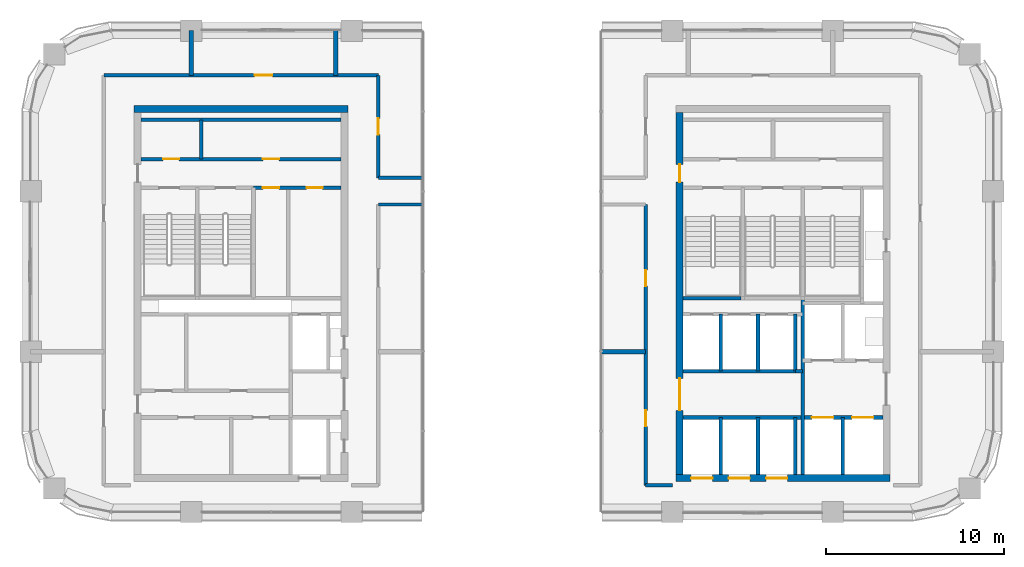
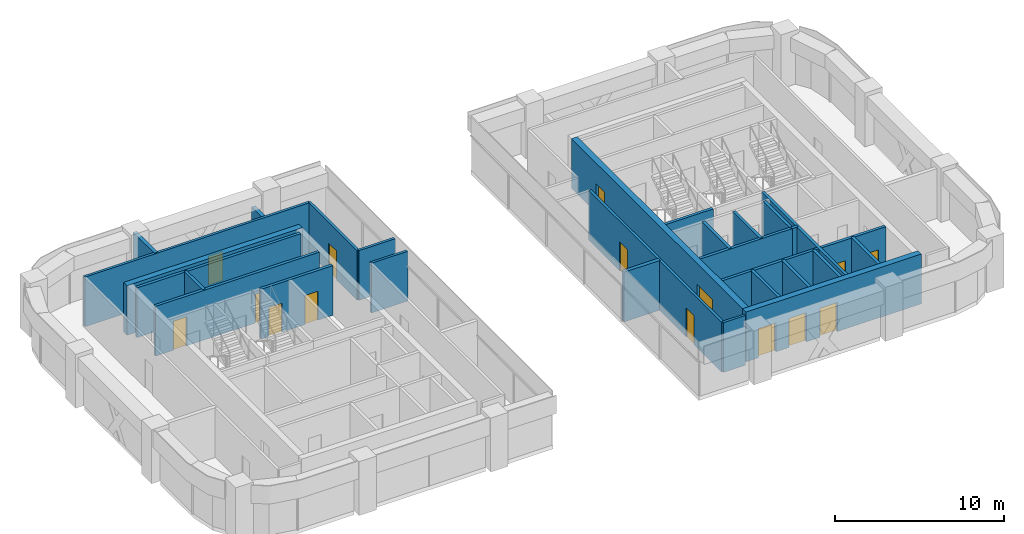
# One storey, part 7 of 16: 28 walls, 15 doors, 15 openings.
"""IFC4 building model written with IfcOpenShell, lengths in metres."""

from ifc_helpers import new_model, si_unit, direction, frame, frame_2d, origin, place, context, subcontext, project, spatial, rectangle, extrude, material, layer, layer_set, type_object, element, fill, save


model = new_model("IFC4")

# Units and contexts
model_context = context("Model", 3, precision=1e-05, world=origin(), true_north=direction((0.0, 1.0)))
body_context = subcontext(model_context, "Body", "Model", "MODEL_VIEW")
ifc_project = project(units=[si_unit("LENGTHUNIT", "METRE"), si_unit("AREAUNIT", "SQUARE_METRE"), si_unit("VOLUMEUNIT", "CUBIC_METRE"), si_unit("PLANEANGLEUNIT", "RADIAN"), si_unit("MASSUNIT", "GRAM", prefix="KILO")], contexts=[model_context])

# Site, building, storey
site_placement = place(None, origin())
site = spatial("IfcSite", under=ifc_project, at=site_placement, CompositionType="ELEMENT")
building_placement = place(site_placement, origin())
building = spatial("IfcBuilding", under=site, at=building_placement, Name="Tessera Arch", CompositionType="ELEMENT")
storey_placement = place(building_placement, frame((0.0, 0.0, 218.89990234375)))
storey = spatial("IfcBuildingStorey", under=building, at=storey_placement, Name="L52", CompositionType="ELEMENT", Elevation=218.89990234375)

# Walls
ifc_material_1 = material(Name="Gypsum board on steel stud", Category="steel")
ifc_layer_1 = layer(ifc_material_1, 0.125)
ifc_layer_set_1 = layer_set([ifc_layer_1], Name="Core partition 125 EI 60")
wall_type_1 = type_object("IfcWallType", Name="Core partition 125 EI 60", PredefinedType="PARTITIONING", material=ifc_layer_set_1)
wall_1_placement = place(storey_placement, frame((42.89990234375, 34.89990234375, 0.0), z_axis=(0.0, 0.0, 1.0), x_axis=(1.0, 0.0, 0.0)))
element("IfcWall", 1, at=wall_1_placement, inside=storey, type_object=wall_type_1, Name="L52 C1 partition wall 19", PredefinedType="PARTITIONING", context=body_context, shape_type="SweptSolid", body=[
    extrude(rectangle(XDim=0.400146484375, YDim=0.199951171875, at=frame_2d((0.2001953125, 0.0))), origin(), (0.0, 0.0, 1.0), 3.60009765625),
])
wall_2_placement = place(storey_placement, frame((9.56005859375, 46.800048828125, 0.0), z_axis=(0.0, 0.0, 1.0), x_axis=(0.0, 1.0, 0.0)))
element("IfcWall", 2, at=wall_2_placement, inside=storey, type_object=wall_type_1, Name="L52 C2 partition wall 4", PredefinedType="PARTITIONING", context=body_context, shape_type="SweptSolid", body=[
    extrude(rectangle(XDim=2.199951171875, YDim=0.199951171875, at=frame_2d((1.10009765625, 0.0))), origin(), (0.0, 0.0, 1.0), 3.60009765625),
])

# Wall, openings, doors
wall_3_placement = place(storey_placement, frame((12.5, 45.199951171875, 0.0), z_axis=(0.0, 0.0, 1.0), x_axis=(1.0, 0.0, 0.0)))
wall_3 = element("IfcWall", 3, at=wall_3_placement, inside=storey, type_object=wall_type_1, Name="L52 C2 partition wall 23", PredefinedType="PARTITIONING", context=body_context, shape_type="SweptSolid", body=[
    extrude(rectangle(XDim=4.89990234375, YDim=0.199951171875, at=frame_2d((2.449951171875, 0.0))), origin(), (0.0, 0.0, 1.0), 3.60009765625),
])
opening_1_placement = place(wall_3_placement, frame((0.530029296875, 0.0, 0.0)))
opening_1 = element("IfcOpeningElement", 4, at=opening_1_placement, cuts=wall_3, Name="Opening L52-C31", PredefinedType="OPENING", context=body_context, shape_type="SweptSolid", body=[
    extrude(rectangle(XDim=0.89990234375, YDim=2.10009765625, at=frame_2d((0.449951171875, 1.050048828125))), frame((0.0, 0.10986328125, 0.0), z_axis=(0.0, -1.0, 0.0), x_axis=(1.0, 0.0, 0.0)), (0.0, 0.0, 1.0), 0.219970703125),
])
opening_2_placement = place(wall_3_placement, frame((2.97998046875, 0.0, 0.0)))
opening_2 = element("IfcOpeningElement", 5, at=opening_2_placement, cuts=wall_3, Name="Opening L52-C32", PredefinedType="OPENING", context=body_context, shape_type="SweptSolid", body=[
    extrude(rectangle(XDim=0.89990234375, YDim=2.10009765625, at=frame_2d((0.449951171875, 1.050048828125))), frame((0.0, 0.10986328125, 0.0), z_axis=(0.0, -1.0, 0.0), x_axis=(1.0, 0.0, 0.0)), (0.0, 0.0, 1.0), 0.219970703125),
])
ifc_material_2 = material(Name="Steel door leaf", Category="steel")
door_type_1 = type_object("IfcDoorType", Name="Store door FD30S 900 x 2100", OperationType="SINGLE_SWING_LEFT", PredefinedType="DOOR", material=ifc_material_2)
door_1_placement = place(opening_1_placement, origin())
door_1 = element("IfcDoor", 6, at=door_1_placement, inside=storey, type_object=door_type_1, Name="L52 C2 door 12 C31 type D09", OperationType="SINGLE_SWING_LEFT", OverallHeight=2.10009765625, OverallWidth=0.89990234375, PredefinedType="DOOR", context=body_context, shape_type="SweptSolid", body=[
    extrude(rectangle(XDim=0.89990234375, YDim=2.10009765625, at=frame_2d((0.449951171875, 1.050048828125))), frame((0.0, 0.02490234375, 0.0), z_axis=(0.0, -1.0, 0.0), x_axis=(1.0, 0.0, 0.0)), (0.0, 0.0, 1.0), 0.050048828125),
])
fill(opening_1, door_1)
door_2_placement = place(opening_2_placement, origin())
door_2 = element("IfcDoor", 7, at=door_2_placement, inside=storey, type_object=door_type_1, Name="L52 C2 door 13 C32 type D09", OperationType="SINGLE_SWING_RIGHT", OverallHeight=2.10009765625, OverallWidth=0.89990234375, PredefinedType="DOOR", context=body_context, shape_type="SweptSolid", body=[
    extrude(rectangle(XDim=0.89990234375, YDim=2.10009765625, at=frame_2d((0.449951171875, 1.050048828125))), frame((0.0, 0.02490234375, 0.0), z_axis=(0.0, -1.0, 0.0), x_axis=(1.0, 0.0, 0.0)), (0.0, 0.0, 1.0), 0.050048828125),
])
fill(opening_2, door_2)

wall_4_placement = place(storey_placement, frame((6.199951171875, 46.800048828125, 0.0), z_axis=(0.0, 0.0, 1.0), x_axis=(1.0, 0.0, 0.0)))
wall_4 = element("IfcWall", 8, at=wall_4_placement, inside=storey, type_object=wall_type_1, Name="L52 C2 partition wall 25", PredefinedType="PARTITIONING", context=body_context, shape_type="SweptSolid", body=[
    extrude(rectangle(XDim=11.199951171875, YDim=0.199951171875, at=frame_2d((5.60009765625, 0.0))), origin(), (0.0, 0.0, 1.0), 3.60009765625),
])
opening_3_placement = place(wall_4_placement, frame((1.22998046875, 0.0, 0.0)))
opening_3 = element("IfcOpeningElement", 9, at=opening_3_placement, cuts=wall_4, Name="Opening L52-C29", PredefinedType="OPENING", context=body_context, shape_type="SweptSolid", body=[
    extrude(rectangle(XDim=0.89990234375, YDim=2.10009765625, at=frame_2d((0.449951171875, 1.050048828125))), frame((0.0, 0.10986328125, 0.0), z_axis=(0.0, -1.0, 0.0), x_axis=(1.0, 0.0, 0.0)), (0.0, 0.0, 1.0), 0.219970703125),
])
opening_4_placement = place(wall_4_placement, frame((6.830078125, 0.0, 0.0)))
opening_4 = element("IfcOpeningElement", 10, at=opening_4_placement, cuts=wall_4, Name="Opening L52-C30", PredefinedType="OPENING", context=body_context, shape_type="SweptSolid", body=[
    extrude(rectangle(XDim=0.89990234375, YDim=2.10009765625, at=frame_2d((0.449951171875, 1.050048828125))), frame((0.0, 0.10986328125, 0.0), z_axis=(0.0, -1.0, 0.0), x_axis=(1.0, 0.0, 0.0)), (0.0, 0.0, 1.0), 0.219970703125),
])
door_3_placement = place(opening_3_placement, origin())
door_3 = element("IfcDoor", 11, at=door_3_placement, inside=storey, type_object=door_type_1, Name="L52 C2 door 10 C29 type D09", OperationType="SINGLE_SWING_LEFT", OverallHeight=2.10009765625, OverallWidth=0.89990234375, PredefinedType="DOOR", context=body_context, shape_type="SweptSolid", body=[
    extrude(rectangle(XDim=0.89990234375, YDim=2.10009765625, at=frame_2d((0.449951171875, 1.050048828125))), frame((0.0, 0.02490234375, 0.0), z_axis=(0.0, -1.0, 0.0), x_axis=(1.0, 0.0, 0.0)), (0.0, 0.0, 1.0), 0.050048828125),
])
fill(opening_3, door_3)
door_4_placement = place(opening_4_placement, origin())
door_4 = element("IfcDoor", 12, at=door_4_placement, inside=storey, type_object=door_type_1, Name="L52 C2 door 11 C30 type D09", OperationType="SINGLE_SWING_RIGHT", OverallHeight=2.10009765625, OverallWidth=0.89990234375, PredefinedType="DOOR", context=body_context, shape_type="SweptSolid", body=[
    extrude(rectangle(XDim=0.89990234375, YDim=2.10009765625, at=frame_2d((0.449951171875, 1.050048828125))), frame((0.0, 0.02490234375, 0.0), z_axis=(0.0, -1.0, 0.0), x_axis=(1.0, 0.0, 0.0)), (0.0, 0.0, 1.0), 0.050048828125),
])
fill(opening_4, door_4)

# Wall
wall_5_placement = place(storey_placement, frame((6.199951171875, 49.0, 0.0), z_axis=(0.0, 0.0, 1.0), x_axis=(1.0, 0.0, 0.0)))
element("IfcWall", 13, at=wall_5_placement, inside=storey, type_object=wall_type_1, Name="L52 C2 partition wall 26", PredefinedType="PARTITIONING", context=body_context, shape_type="SweptSolid", body=[
    extrude(rectangle(XDim=11.199951171875, YDim=0.199951171875, at=frame_2d((5.60009765625, 0.0))), origin(), (0.0, 0.0, 1.0), 3.60009765625),
])

# Wall, openings, doors
ifc_material_3 = material(Name="Concrete C50/60", Category="concrete")
ifc_layer_2 = layer(ifc_material_3, 0.39990234375)
ifc_layer_set_2 = layer_set([ifc_layer_2], Name="Core shell wall 400 C50-60")
wall_type_2 = type_object("IfcWallType", Name="Core shell wall 400 C50-60", PredefinedType="SHEAR", material=ifc_layer_set_2)
wall_6_placement = place(storey_placement, frame((36.199951171875, 28.89990234375, 0.0), z_axis=(0.0, 0.0, 1.0), x_axis=(1.0, 0.0, 0.0)))
wall_6 = element("IfcWall", 14, at=wall_6_placement, inside=storey, type_object=wall_type_2, Name="L52 C1 core wall S", PredefinedType="SHEAR", context=body_context, shape_type="SweptSolid", body=[
    extrude(rectangle(XDim=12.0, YDim=0.39990234375, at=frame_2d((6.0, 0.0))), origin(), (0.0, 0.0, 1.0), 3.60009765625),
])
opening_5_placement = place(wall_6_placement, frame((0.85009765625, 0.0, 0.0)))
opening_5 = element("IfcOpeningElement", 15, at=opening_5_placement, cuts=wall_6, Name="Opening L52-C01", PredefinedType="OPENING", context=body_context, shape_type="SweptSolid", body=[
    extrude(rectangle(XDim=1.199951171875, YDim=2.10009765625, at=frame_2d((0.60009765625, 1.050048828125))), frame((0.0, 0.2099609375, 0.0), z_axis=(0.0, -1.0, 0.0), x_axis=(1.0, 0.0, 0.0)), (0.0, 0.0, 1.0), 0.419921875),
])
opening_6_placement = place(wall_6_placement, frame((2.949951171875, 0.0, 0.0)))
opening_6 = element("IfcOpeningElement", 16, at=opening_6_placement, cuts=wall_6, Name="Opening L52-C03", PredefinedType="OPENING", context=body_context, shape_type="SweptSolid", body=[
    extrude(rectangle(XDim=1.199951171875, YDim=2.10009765625, at=frame_2d((0.60009765625, 1.050048828125))), frame((0.0, 0.2099609375, 0.0), z_axis=(0.0, -1.0, 0.0), x_axis=(1.0, 0.0, 0.0)), (0.0, 0.0, 1.0), 0.419921875),
])
opening_7_placement = place(wall_6_placement, frame((5.050048828125, 0.0, 0.0)))
opening_7 = element("IfcOpeningElement", 17, at=opening_7_placement, cuts=wall_6, Name="Opening L52-C05", PredefinedType="OPENING", context=body_context, shape_type="SweptSolid", body=[
    extrude(rectangle(XDim=1.199951171875, YDim=2.10009765625, at=frame_2d((0.60009765625, 1.050048828125))), frame((0.0, 0.2099609375, 0.0), z_axis=(0.0, -1.0, 0.0), x_axis=(1.0, 0.0, 0.0)), (0.0, 0.0, 1.0), 0.419921875),
])
ifc_material_4 = material(Name="Stainless steel AISI 304", Category="steel")
door_type_2 = type_object("IfcDoorType", Name="Sliding landing door 1200 x 2100", OperationType="SLIDING_TO_LEFT", PredefinedType="DOOR", material=ifc_material_4)
door_5_placement = place(opening_5_placement, origin())
door_5 = element("IfcDoor", 18, at=door_5_placement, inside=storey, type_object=door_type_2, Name="L52 HR1 lift landing door C01 type LD", OperationType="SLIDING_TO_LEFT", OverallHeight=2.10009765625, OverallWidth=1.199951171875, PredefinedType="DOOR", context=body_context, shape_type="SweptSolid", body=[
    extrude(rectangle(XDim=1.199951171875, YDim=2.10009765625, at=frame_2d((0.60009765625, 1.050048828125))), frame((0.0, 0.02490234375, 0.0), z_axis=(0.0, -1.0, 0.0), x_axis=(1.0, 0.0, 0.0)), (0.0, 0.0, 1.0), 0.050048828125),
])
fill(opening_5, door_5)
door_6_placement = place(opening_6_placement, origin())
door_6 = element("IfcDoor", 19, at=door_6_placement, inside=storey, type_object=door_type_2, Name="L52 HR2 lift landing door C03 type LD", OperationType="SLIDING_TO_LEFT", OverallHeight=2.10009765625, OverallWidth=1.199951171875, PredefinedType="DOOR", context=body_context, shape_type="SweptSolid", body=[
    extrude(rectangle(XDim=1.199951171875, YDim=2.10009765625, at=frame_2d((0.60009765625, 1.050048828125))), frame((0.0, 0.02490234375, 0.0), z_axis=(0.0, -1.0, 0.0), x_axis=(1.0, 0.0, 0.0)), (0.0, 0.0, 1.0), 0.050048828125),
])
fill(opening_6, door_6)
door_7_placement = place(opening_7_placement, origin())
door_7 = element("IfcDoor", 20, at=door_7_placement, inside=storey, type_object=door_type_2, Name="L52 HR3 lift landing door C05 type LD", OperationType="SLIDING_TO_LEFT", OverallHeight=2.10009765625, OverallWidth=1.199951171875, PredefinedType="DOOR", context=body_context, shape_type="SweptSolid", body=[
    extrude(rectangle(XDim=1.199951171875, YDim=2.10009765625, at=frame_2d((0.60009765625, 1.050048828125))), frame((0.0, 0.02490234375, 0.0), z_axis=(0.0, -1.0, 0.0), x_axis=(1.0, 0.0, 0.0)), (0.0, 0.0, 1.0), 0.050048828125),
])
fill(opening_7, door_7)

wall_7_placement = place(storey_placement, frame((36.39990234375, 29.10009765625, 0.0), z_axis=(0.0, 0.0, 1.0), x_axis=(0.0, 1.0, 0.0)))
wall_7 = element("IfcWall", 21, at=wall_7_placement, inside=storey, type_object=wall_type_2, Name="L52 C1 core wall W", PredefinedType="SHEAR", context=body_context, shape_type="SweptSolid", body=[
    extrude(rectangle(XDim=20.2998046875, YDim=0.39990234375, at=frame_2d((10.14990234375, 0.0))), origin(), (0.0, 0.0, 1.0), 3.60009765625),
])
opening_8_placement = place(wall_7_placement, frame((3.60009765625, 0.0, 0.0)))
opening_8 = element("IfcOpeningElement", 22, at=opening_8_placement, cuts=wall_7, Name="Opening L52-C10", PredefinedType="OPENING", context=body_context, shape_type="SweptSolid", body=[
    extrude(rectangle(XDim=1.800048828125, YDim=2.10009765625, at=frame_2d((0.89990234375, 1.050048828125))), frame((0.0, 0.2099609375, 0.0), z_axis=(0.0, -1.0, 0.0), x_axis=(1.0, 0.0, 0.0)), (0.0, 0.0, 1.0), 0.419921875),
])
opening_9_placement = place(wall_7_placement, frame((16.39990234375, 0.0, 0.0)))
opening_9 = element("IfcOpeningElement", 23, at=opening_9_placement, cuts=wall_7, Name="Opening L52-C17", PredefinedType="OPENING", context=body_context, shape_type="SweptSolid", body=[
    extrude(rectangle(XDim=1.0, YDim=2.10009765625, at=frame_2d((0.5, 1.050048828125))), frame((0.0, 0.2099609375, 0.0), z_axis=(0.0, -1.0, 0.0), x_axis=(1.0, 0.0, 0.0)), (0.0, 0.0, 1.0), 0.419921875),
])
ifc_material_5 = material(Name="Steel door leaf", Category="steel")
door_type_3 = type_object("IfcDoorType", Name="Corridor door FD60 1000 x 2100", OperationType="SINGLE_SWING_LEFT", PredefinedType="DOOR", material=ifc_material_5)
door_8_placement = place(opening_9_placement, origin())
door_8 = element("IfcDoor", 24, at=door_8_placement, inside=storey, type_object=door_type_3, Name="L52 C1 door 17 C17 type D12", OperationType="SINGLE_SWING_RIGHT", OverallHeight=2.10009765625, OverallWidth=1.0, PredefinedType="DOOR", context=body_context, shape_type="SweptSolid", body=[
    extrude(rectangle(XDim=1.0, YDim=2.10009765625, at=frame_2d((0.5, 1.050048828125))), frame((0.0, 0.02490234375, 0.0), z_axis=(0.0, -1.0, 0.0), x_axis=(1.0, 0.0, 0.0)), (0.0, 0.0, 1.0), 0.050048828125),
])
fill(opening_9, door_8)
ifc_material_6 = material(Name="Glazed steel door leaf", Category="steel")
door_type_4 = type_object("IfcDoorType", Name="Lobby double door FD30S 1800 x 2100", OperationType="DOUBLE_DOOR_SINGLE_SWING", PredefinedType="DOOR", material=ifc_material_6)
door_9_placement = place(opening_8_placement, origin())
door_9 = element("IfcDoor", 25, at=door_9_placement, inside=storey, type_object=door_type_4, Name="L52 C1 door 10 C10 type D06", OperationType="DOUBLE_DOOR_SINGLE_SWING", OverallHeight=2.10009765625, OverallWidth=1.800048828125, PredefinedType="DOOR", context=body_context, shape_type="SweptSolid", body=[
    extrude(rectangle(XDim=1.800048828125, YDim=2.10009765625, at=frame_2d((0.89990234375, 1.050048828125))), frame((0.0, 0.02490234375, 0.0), z_axis=(0.0, -1.0, 0.0), x_axis=(1.0, 0.0, 0.0)), (0.0, 0.0, 1.0), 0.050048828125),
])
fill(opening_8, door_9)

# Walls
wall_8_placement = place(storey_placement, frame((5.800048828125, 49.60009765625, 0.0), z_axis=(0.0, 0.0, 1.0), x_axis=(1.0, 0.0, 0.0)))
element("IfcWall", 26, at=wall_8_placement, inside=storey, type_object=wall_type_2, Name="L52 C2 core wall N", PredefinedType="SHEAR", context=body_context, shape_type="SweptSolid", body=[
    extrude(rectangle(XDim=12.0, YDim=0.39990234375, at=frame_2d((6.0, 0.0))), origin(), (0.0, 0.0, 1.0), 3.60009765625),
])
ifc_material_7 = material(Name="Gypsum board on deep steel stud with mineral wool", Category="steel")
ifc_layer_3 = layer(ifc_material_7, 0.175048828125)
ifc_layer_set_3 = layer_set([ifc_layer_3], Name="Corridor wall 175 EI 60")
wall_type_3 = type_object("IfcWallType", Name="Corridor wall 175 EI 60", PredefinedType="PARTITIONING", material=ifc_layer_set_3)
wall_9_placement = place(storey_placement, frame((34.5, 28.5, 0.0), z_axis=(0.0, 0.0, 1.0), x_axis=(1.0, 0.0, 0.0)))
element("IfcWall", 27, at=wall_9_placement, inside=storey, type_object=wall_type_3, Name="L52 partition 3", PredefinedType="PARTITIONING", context=body_context, shape_type="SweptSolid", body=[
    extrude(rectangle(XDim=1.5, YDim=0.175048828125, at=frame_2d((0.75, 0.0))), origin(), (0.0, 0.0, 1.0), 3.60009765625),
])
for number, where, z_axis, x_axis, name in (
    (28, (19.5, 44.25, 0.0), (0.0, 0.0, 1.0), (1.0, 0.0, 0.0), "L52 partition 5"),
    (29, (19.5, 45.75, 0.0), (0.0, 0.0, 1.0), (1.0, 0.0, 0.0), "L52 partition 7"),
):
    element("IfcWall", number, at=place(storey_placement, frame(where, z_axis=z_axis, x_axis=x_axis)), inside=storey, type_object=wall_type_3, Name=name, PredefinedType="PARTITIONING", context=body_context, shape_type="SweptSolid", body=[
        extrude(rectangle(XDim=2.5, YDim=0.175048828125, at=frame_2d((1.25, 0.0))), origin(), (0.0, 0.0, 1.0), 3.60009765625),
    ])

# Wall, opening, door
wall_10_placement = place(storey_placement, frame((4.10009765625, 51.5, 0.0), z_axis=(0.0, 0.0, 1.0), x_axis=(1.0, 0.0, 0.0)))
wall_10 = element("IfcWall", 30, at=wall_10_placement, inside=storey, type_object=wall_type_3, Name="L52 partition 9", PredefinedType="PARTITIONING", context=body_context, shape_type="SweptSolid", body=[
    extrude(rectangle(XDim=15.39990234375, YDim=0.175048828125, at=frame_2d((7.699951171875, 0.0))), origin(), (0.0, 0.0, 1.0), 3.60009765625),
])
opening_10_placement = place(wall_10_placement, frame((8.455078125, 0.0, 0.0)))
opening_10 = element("IfcOpeningElement", 31, at=opening_10_placement, cuts=wall_10, Name="Opening L52-D009", PredefinedType="OPENING", context=body_context, shape_type="SweptSolid", body=[
    extrude(rectangle(XDim=1.0, YDim=2.10009765625, at=frame_2d((0.5, 1.050048828125))), frame((0.0, 0.097412109375, 0.0), z_axis=(0.0, -1.0, 0.0), x_axis=(1.0, 0.0, 0.0)), (0.0, 0.0, 1.0), 0.195068359375),
])
ifc_material_8 = material(Name="Fire-rated door leaf")
door_type_5 = type_object("IfcDoorType", Name="Entrance door FD30S 1000 x 2100", OperationType="SINGLE_SWING_LEFT", PredefinedType="DOOR", material=ifc_material_8)
door_10_placement = place(opening_10_placement, origin())
door_10 = element("IfcDoor", 32, at=door_10_placement, inside=storey, type_object=door_type_5, Name="L52 door D009 type D03", OperationType="SINGLE_SWING_LEFT", OverallHeight=2.10009765625, OverallWidth=1.0, PredefinedType="DOOR", context=body_context, shape_type="SweptSolid", body=[
    extrude(rectangle(XDim=1.0, YDim=2.10009765625, at=frame_2d((0.5, 1.050048828125))), frame((0.0, 0.02490234375, 0.0), z_axis=(0.0, -1.0, 0.0), x_axis=(1.0, 0.0, 0.0)), (0.0, 0.0, 1.0), 0.050048828125),
])
fill(opening_10, door_10)

wall_11_placement = place(storey_placement, frame((19.5, 45.75, 0.0), z_axis=(0.0, 0.0, 1.0), x_axis=(0.0, 1.0, 0.0)))
wall_11 = element("IfcWall", 33, at=wall_11_placement, inside=storey, type_object=wall_type_3, Name="L52 partition 13", PredefinedType="PARTITIONING", context=body_context, shape_type="SweptSolid", body=[
    extrude(rectangle(XDim=5.75, YDim=0.175048828125, at=frame_2d((2.875, 0.0))), origin(), (0.0, 0.0, 1.0), 3.60009765625),
])
opening_11_placement = place(wall_11_placement, frame((2.425048828125, 0.0, 0.0)))
opening_11 = element("IfcOpeningElement", 34, at=opening_11_placement, cuts=wall_11, Name="Opening L52-D007", PredefinedType="OPENING", context=body_context, shape_type="SweptSolid", body=[
    extrude(rectangle(XDim=0.89990234375, YDim=2.10009765625, at=frame_2d((0.449951171875, 1.050048828125))), frame((0.0, 0.097412109375, 0.0), z_axis=(0.0, -1.0, 0.0), x_axis=(1.0, 0.0, 0.0)), (0.0, 0.0, 1.0), 0.195068359375),
])
ifc_material_9 = material(Name="Timber door leaf", Category="wood")
door_type_6 = type_object("IfcDoorType", Name="Room door 900 x 2100", OperationType="SINGLE_SWING_LEFT", PredefinedType="DOOR", material=ifc_material_9)
door_11_placement = place(opening_11_placement, origin())
door_11 = element("IfcDoor", 35, at=door_11_placement, inside=storey, type_object=door_type_6, Name="L52 door D007 type D01", OperationType="SINGLE_SWING_RIGHT", OverallHeight=2.10009765625, OverallWidth=0.89990234375, PredefinedType="DOOR", context=body_context, shape_type="SweptSolid", body=[
    extrude(rectangle(XDim=0.89990234375, YDim=2.10009765625, at=frame_2d((0.449951171875, 1.050048828125))), frame((0.0, 0.02490234375, 0.0), z_axis=(0.0, -1.0, 0.0), x_axis=(1.0, 0.0, 0.0)), (0.0, 0.0, 1.0), 0.050048828125),
])
fill(opening_11, door_11)

# Wall, openings, doors
wall_12_placement = place(storey_placement, frame((34.5, 28.5, 0.0), z_axis=(0.0, 0.0, 1.0), x_axis=(0.0, 1.0, 0.0)))
wall_12 = element("IfcWall", 36, at=wall_12_placement, inside=storey, type_object=wall_type_3, Name="L52 partition 14", PredefinedType="PARTITIONING", context=body_context, shape_type="SweptSolid", body=[
    extrude(rectangle(XDim=15.75, YDim=0.175048828125, at=frame_2d((7.875, 0.0))), origin(), (0.0, 0.0, 1.0), 3.60009765625),
])
opening_12_placement = place(wall_12_placement, frame((3.300048828125, 0.0, 0.0)))
opening_12 = element("IfcOpeningElement", 37, at=opening_12_placement, cuts=wall_12, Name="Opening L52-D002", PredefinedType="OPENING", context=body_context, shape_type="SweptSolid", body=[
    extrude(rectangle(XDim=0.89990234375, YDim=2.10009765625, at=frame_2d((0.449951171875, 1.050048828125))), frame((0.0, 0.097412109375, 0.0), z_axis=(0.0, -1.0, 0.0), x_axis=(1.0, 0.0, 0.0)), (0.0, 0.0, 1.0), 0.195068359375),
])
opening_13_placement = place(wall_12_placement, frame((11.175048828125, 0.0, 0.0)))
opening_13 = element("IfcOpeningElement", 38, at=opening_13_placement, cuts=wall_12, Name="Opening L52-D004", PredefinedType="OPENING", context=body_context, shape_type="SweptSolid", body=[
    extrude(rectangle(XDim=0.89990234375, YDim=2.10009765625, at=frame_2d((0.449951171875, 1.050048828125))), frame((0.0, 0.097412109375, 0.0), z_axis=(0.0, -1.0, 0.0), x_axis=(1.0, 0.0, 0.0)), (0.0, 0.0, 1.0), 0.195068359375),
])
door_12_placement = place(opening_12_placement, origin())
door_12 = element("IfcDoor", 39, at=door_12_placement, inside=storey, type_object=door_type_6, Name="L52 door D002 type D01", OperationType="SINGLE_SWING_RIGHT", OverallHeight=2.10009765625, OverallWidth=0.89990234375, PredefinedType="DOOR", context=body_context, shape_type="SweptSolid", body=[
    extrude(rectangle(XDim=0.89990234375, YDim=2.10009765625, at=frame_2d((0.449951171875, 1.050048828125))), frame((0.0, 0.02490234375, 0.0), z_axis=(0.0, -1.0, 0.0), x_axis=(1.0, 0.0, 0.0)), (0.0, 0.0, 1.0), 0.050048828125),
])
fill(opening_12, door_12)
door_13_placement = place(opening_13_placement, origin())
door_13 = element("IfcDoor", 40, at=door_13_placement, inside=storey, type_object=door_type_6, Name="L52 door D004 type D01", OperationType="SINGLE_SWING_RIGHT", OverallHeight=2.10009765625, OverallWidth=0.89990234375, PredefinedType="DOOR", context=body_context, shape_type="SweptSolid", body=[
    extrude(rectangle(XDim=0.89990234375, YDim=2.10009765625, at=frame_2d((0.449951171875, 1.050048828125))), frame((0.0, 0.02490234375, 0.0), z_axis=(0.0, -1.0, 0.0), x_axis=(1.0, 0.0, 0.0)), (0.0, 0.0, 1.0), 0.050048828125),
])
fill(opening_13, door_13)

# Walls
ifc_material_10 = material(Name="Double gypsum board on twin steel stud with acoustic mineral wool", Category="steel")
ifc_layer_4 = layer(ifc_material_10, 0.25)
ifc_layer_set_4 = layer_set([ifc_layer_4], Name="Party wall 250 EI 60")
wall_type_4 = type_object("IfcWallType", Name="Party wall 250 EI 60", PredefinedType="PARTITIONING", material=ifc_layer_set_4)
for number, where, z_axis, x_axis, name in (
    (41, (32.0, 36.0, 0.0), (0.0, 0.0, 1.0), (1.0, 0.0, 0.0), "L52 partition 19"),
    (42, (9.0, 51.5, 0.0), (0.0, 0.0, 1.0), (0.0, 1.0, 0.0), "L52 partition 21"),
):
    element("IfcWall", number, at=place(storey_placement, frame(where, z_axis=z_axis, x_axis=x_axis)), inside=storey, type_object=wall_type_4, Name=name, PredefinedType="PARTITIONING", context=body_context, shape_type="SweptSolid", body=[
        extrude(rectangle(XDim=2.5, YDim=0.25, at=frame_2d((1.25, 0.0))), origin(), (0.0, 0.0, 1.0), 3.60009765625),
    ])
wall_13_placement = place(storey_placement, frame((17.110107421875, 51.5, 0.0), z_axis=(0.0, 0.0, 1.0), x_axis=(0.0, 1.0, 0.0)))
element("IfcWall", 43, at=wall_13_placement, inside=storey, type_object=wall_type_4, Name="L52 partition 22", PredefinedType="PARTITIONING", context=body_context, shape_type="SweptSolid", body=[
    extrude(rectangle(XDim=2.5, YDim=0.25, at=frame_2d((1.25, 0.0))), origin(), (0.0, 0.0, 1.0), 2.60009765625),
])
ifc_material_11 = material(Name="Concrete C40/50", Category="concrete")
ifc_layer_5 = layer(ifc_material_11, 0.199951171875)
ifc_layer_set_5 = layer_set([ifc_layer_5], Name="Shaft wall 200 EI 120")
wall_type_5 = type_object("IfcWallType", Name="Shaft wall 200 EI 120", PredefinedType="SOLIDWALL", material=ifc_layer_set_5)
wall_14_placement = place(storey_placement, frame((38.699951171875, 29.10009765625, 0.0), z_axis=(0.0, 0.0, 1.0), x_axis=(0.0, 1.0, 0.0)))
element("IfcWall", 44, at=wall_14_placement, inside=storey, type_object=wall_type_5, Name="L52 C1 shaft wall 1", PredefinedType="SOLIDWALL", context=body_context, shape_type="SweptSolid", body=[
    extrude(rectangle(XDim=3.199951171875, YDim=0.199951171875, at=frame_2d((1.60009765625, 0.0))), origin(), (0.0, 0.0, 1.0), 3.60009765625),
])
wall_15_placement = place(storey_placement, frame((38.699951171875, 34.89990234375, 0.0), z_axis=(0.0, 0.0, 1.0), x_axis=(0.0, 1.0, 0.0)))
element("IfcWall", 45, at=wall_15_placement, inside=storey, type_object=wall_type_5, Name="L52 C1 shaft wall 2", PredefinedType="SOLIDWALL", context=body_context, shape_type="SweptSolid", body=[
    extrude(rectangle(XDim=3.2001953125, YDim=0.199951171875, at=frame_2d((1.60009765625, 0.0))), origin(), (0.0, 0.0, 1.0), 3.60009765625),
])
wall_16_placement = place(storey_placement, frame((40.800048828125, 29.10009765625, 0.0), z_axis=(0.0, 0.0, 1.0), x_axis=(0.0, 1.0, 0.0)))
element("IfcWall", 46, at=wall_16_placement, inside=storey, type_object=wall_type_5, Name="L52 C1 shaft wall 5", PredefinedType="SOLIDWALL", context=body_context, shape_type="SweptSolid", body=[
    extrude(rectangle(XDim=3.199951171875, YDim=0.199951171875, at=frame_2d((1.60009765625, 0.0))), origin(), (0.0, 0.0, 1.0), 3.60009765625),
])
wall_17_placement = place(storey_placement, frame((40.800048828125, 34.89990234375, 0.0), z_axis=(0.0, 0.0, 1.0), x_axis=(0.0, 1.0, 0.0)))
element("IfcWall", 47, at=wall_17_placement, inside=storey, type_object=wall_type_5, Name="L52 C1 shaft wall 6", PredefinedType="SOLIDWALL", context=body_context, shape_type="SweptSolid", body=[
    extrude(rectangle(XDim=3.2001953125, YDim=0.199951171875, at=frame_2d((1.60009765625, 0.0))), origin(), (0.0, 0.0, 1.0), 3.60009765625),
])
wall_18_placement = place(storey_placement, frame((42.89990234375, 29.10009765625, 0.0), z_axis=(0.0, 0.0, 1.0), x_axis=(0.0, 1.0, 0.0)))
element("IfcWall", 48, at=wall_18_placement, inside=storey, type_object=wall_type_5, Name="L52 C1 shaft wall 8", PredefinedType="SOLIDWALL", context=body_context, shape_type="SweptSolid", body=[
    extrude(rectangle(XDim=3.199951171875, YDim=0.199951171875, at=frame_2d((1.60009765625, 0.0))), origin(), (0.0, 0.0, 1.0), 3.60009765625),
])
wall_19_placement = place(storey_placement, frame((42.89990234375, 34.89990234375, 0.0), z_axis=(0.0, 0.0, 1.0), x_axis=(0.0, 1.0, 0.0)))
element("IfcWall", 49, at=wall_19_placement, inside=storey, type_object=wall_type_5, Name="L52 C1 shaft wall 9", PredefinedType="SOLIDWALL", context=body_context, shape_type="SweptSolid", body=[
    extrude(rectangle(XDim=3.2001953125, YDim=0.199951171875, at=frame_2d((1.60009765625, 0.0))), origin(), (0.0, 0.0, 1.0), 3.60009765625),
])
wall_20_placement = place(storey_placement, frame((43.300048828125, 29.10009765625, 0.0), z_axis=(0.0, 0.0, 1.0), x_axis=(0.0, 1.0, 0.0)))
element("IfcWall", 50, at=wall_20_placement, inside=storey, type_object=wall_type_5, Name="L52 C1 shaft wall 10", PredefinedType="SOLIDWALL", context=body_context, shape_type="SweptSolid", body=[
    extrude(rectangle(XDim=9.89990234375, YDim=0.199951171875, at=frame_2d((4.949951171875, 0.0))), origin(), (0.0, 0.0, 1.0), 3.60009765625),
])
wall_21_placement = place(storey_placement, frame((45.550048828125, 29.10009765625, 0.0), z_axis=(0.0, 0.0, 1.0), x_axis=(0.0, 1.0, 0.0)))
element("IfcWall", 51, at=wall_21_placement, inside=storey, type_object=wall_type_5, Name="L52 C1 shaft wall 13", PredefinedType="SOLIDWALL", context=body_context, shape_type="SweptSolid", body=[
    extrude(rectangle(XDim=3.199951171875, YDim=0.199951171875, at=frame_2d((1.60009765625, 0.0))), origin(), (0.0, 0.0, 1.0), 3.60009765625),
])

# Wall, openings, doors
wall_22_placement = place(storey_placement, frame((36.60009765625, 32.300048828125, 0.0), z_axis=(0.0, 0.0, 1.0), x_axis=(1.0, 0.0, 0.0)))
wall_22 = element("IfcWall", 52, at=wall_22_placement, inside=storey, type_object=wall_type_5, Name="L52 C1 shaft wall 18", PredefinedType="SOLIDWALL", context=body_context, shape_type="SweptSolid", body=[
    extrude(rectangle(XDim=11.199951171875, YDim=0.199951171875, at=frame_2d((5.60009765625, 0.0))), origin(), (0.0, 0.0, 1.0), 3.60009765625),
])
opening_14_placement = place(wall_22_placement, frame((7.22509765625, 0.0, 0.0)))
opening_14 = element("IfcOpeningElement", 53, at=opening_14_placement, cuts=wall_22, Name="Opening L52-C07", PredefinedType="OPENING", context=body_context, shape_type="SweptSolid", body=[
    extrude(rectangle(XDim=1.199951171875, YDim=2.10009765625, at=frame_2d((0.60009765625, 1.050048828125))), frame((0.0, 0.10986328125, 0.0), z_axis=(0.0, -1.0, 0.0), x_axis=(1.0, 0.0, 0.0)), (0.0, 0.0, 1.0), 0.219970703125),
])
opening_15_placement = place(wall_22_placement, frame((9.47509765625, 0.0, 0.0)))
opening_15 = element("IfcOpeningElement", 54, at=opening_15_placement, cuts=wall_22, Name="Opening L52-C08", PredefinedType="OPENING", context=body_context, shape_type="SweptSolid", body=[
    extrude(rectangle(XDim=1.199951171875, YDim=2.10009765625, at=frame_2d((0.60009765625, 1.050048828125))), frame((0.0, 0.10986328125, 0.0), z_axis=(0.0, -1.0, 0.0), x_axis=(1.0, 0.0, 0.0)), (0.0, 0.0, 1.0), 0.219970703125),
])
door_14_placement = place(opening_14_placement, origin())
door_14 = element("IfcDoor", 55, at=door_14_placement, inside=storey, type_object=door_type_2, Name="L52 FF1 lift landing door C07 type LD", OperationType="SLIDING_TO_LEFT", OverallHeight=2.10009765625, OverallWidth=1.199951171875, PredefinedType="DOOR", context=body_context, shape_type="SweptSolid", body=[
    extrude(rectangle(XDim=1.199951171875, YDim=2.10009765625, at=frame_2d((0.60009765625, 1.050048828125))), frame((0.0, 0.02490234375, 0.0), z_axis=(0.0, -1.0, 0.0), x_axis=(1.0, 0.0, 0.0)), (0.0, 0.0, 1.0), 0.050048828125),
])
fill(opening_14, door_14)
door_15_placement = place(opening_15_placement, origin())
door_15 = element("IfcDoor", 56, at=door_15_placement, inside=storey, type_object=door_type_2, Name="L52 FF2 lift landing door C08 type LD", OperationType="SLIDING_TO_LEFT", OverallHeight=2.10009765625, OverallWidth=1.199951171875, PredefinedType="DOOR", context=body_context, shape_type="SweptSolid", body=[
    extrude(rectangle(XDim=1.199951171875, YDim=2.10009765625, at=frame_2d((0.60009765625, 1.050048828125))), frame((0.0, 0.02490234375, 0.0), z_axis=(0.0, -1.0, 0.0), x_axis=(1.0, 0.0, 0.0)), (0.0, 0.0, 1.0), 0.050048828125),
])
fill(opening_15, door_15)

# Walls
wall_23_placement = place(storey_placement, frame((36.60009765625, 34.89990234375, 0.0), z_axis=(0.0, 0.0, 1.0), x_axis=(1.0, 0.0, 0.0)))
element("IfcWall", 57, at=wall_23_placement, inside=storey, type_object=wall_type_5, Name="L52 C1 shaft wall 20", PredefinedType="SOLIDWALL", context=body_context, shape_type="SweptSolid", body=[
    extrude(rectangle(XDim=6.2998046875, YDim=0.199951171875, at=frame_2d((3.14990234375, 0.0))), origin(), (0.0, 0.0, 1.0), 3.60009765625),
])
ifc_material_12 = material(Name="Concrete C40/50", Category="concrete")
ifc_layer_6 = layer(ifc_material_12, 0.199951171875)
ifc_layer_set_6 = layer_set([ifc_layer_6], Name="Stair well wall 200 REI 180")
wall_type_6 = type_object("IfcWallType", Name="Stair well wall 200 REI 180", PredefinedType="SOLIDWALL", material=ifc_layer_set_6)
wall_24_placement = place(storey_placement, frame((36.60009765625, 39.0, 0.0), z_axis=(0.0, 0.0, 1.0), x_axis=(1.0, 0.0, 0.0)))
element("IfcWall", 58, at=wall_24_placement, inside=storey, type_object=wall_type_6, Name="L52 C1 shaft wall 24", PredefinedType="SOLIDWALL", context=body_context, shape_type="SweptSolid", body=[
    extrude(rectangle(XDim=3.25, YDim=0.199951171875, at=frame_2d((1.625, 0.0))), origin(), (0.0, 0.0, 1.0), 3.60009765625),
])

save(model, "model.ifc")
